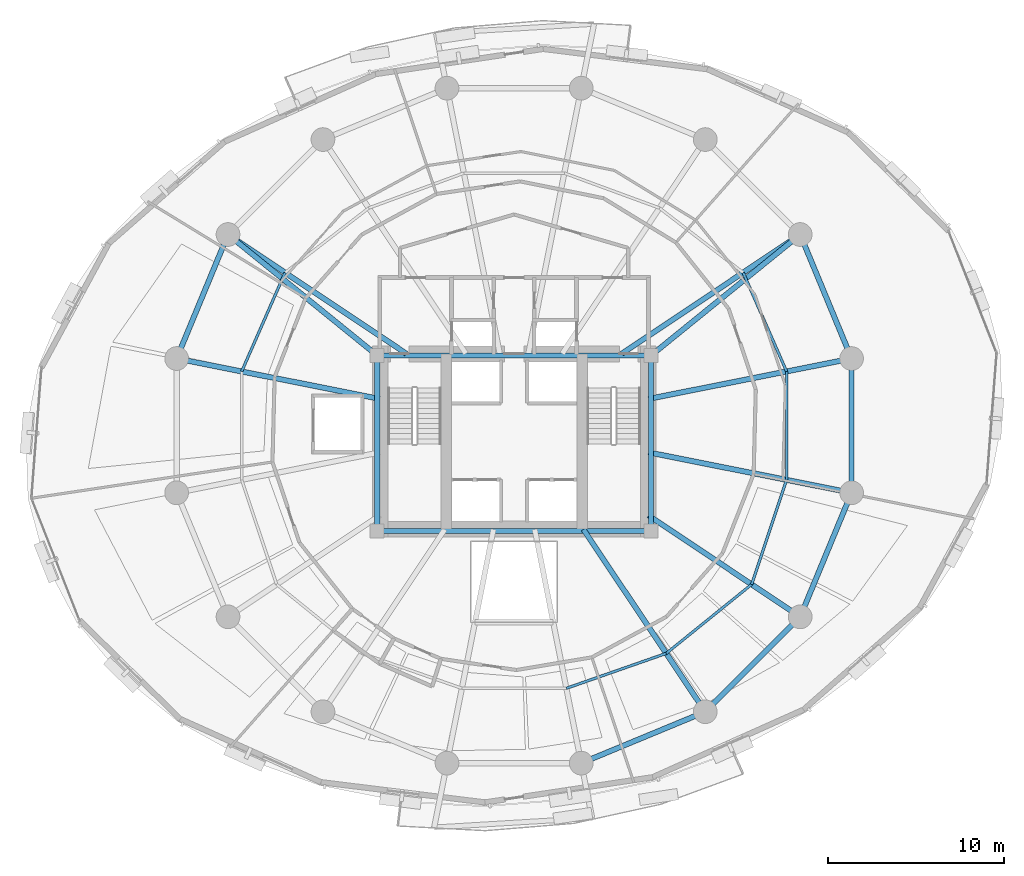
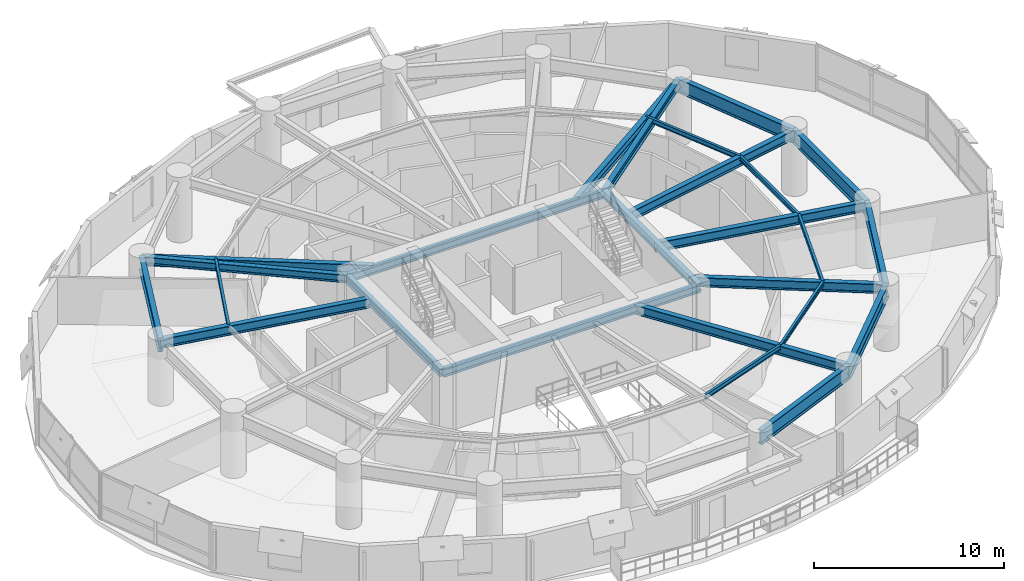
# One storey, part 7 of 17: 25 beams.
"""IFC4 building model written with IfcOpenShell, lengths in metres."""

from ifc_helpers import new_model, si_unit, direction, frame, origin, origin_2d, place, context, subcontext, project, spatial, i_section, extrude, material, material_profile, profile_set, type_object, element, save


model = new_model("IFC4")

# Units and contexts
model_context = context("Model", 3, precision=1e-05, world=origin(), true_north=direction((0.0, 1.0)))
body_context = subcontext(model_context, "Body", "Model", "MODEL_VIEW")
ifc_project = project(units=[si_unit("LENGTHUNIT", "METRE"), si_unit("AREAUNIT", "SQUARE_METRE"), si_unit("VOLUMEUNIT", "CUBIC_METRE"), si_unit("PLANEANGLEUNIT", "RADIAN"), si_unit("MASSUNIT", "GRAM", prefix="KILO"), si_unit("THERMODYNAMICTEMPERATUREUNIT", "KELVIN"), si_unit("POWERUNIT", "WATT")], contexts=[model_context])

# Site, building, storey
site_placement = place(None, origin())
site = spatial("IfcSite", under=ifc_project, at=site_placement, CompositionType="ELEMENT")
building_placement = place(site_placement, origin())
building = spatial("IfcBuilding", under=site, at=building_placement, Name="Ocrelia Relay Tower", CompositionType="ELEMENT")
storey_placement = place(building_placement, frame((0.0, 0.0, 67.800048828125)))
storey = spatial("IfcBuildingStorey", under=building, at=storey_placement, Name="L15", CompositionType="ELEMENT", Elevation=67.800048828125)

# Beams
ifc_material = material(Name="Steel S355", Category="steel")
ifc_material_profile_1 = material_profile(ifc_material, i_section(OverallWidth=0.300048828125, OverallDepth=0.5, WebThickness=0.014404296875, FlangeThickness=0.028076171875, FilletRadius=0.027099609375, at=origin_2d()), Name="HEB 500")
ifc_profile_set_1 = profile_set([ifc_material_profile_1], Name="Steel S355")
beam_type_1 = type_object("IfcBeamType", Name="BM-HEB500", PredefinedType="BEAM", material=ifc_profile_set_1)
for number, where, z_axis, x_axis, name in (
    (1, (26.199951171875, 20.0, 3.669921875), (1.0, 0.0, 0.0), (0.0, 1.0, 0.0), "L15 Core Pilaster Tie Beam S"),
    (2, (26.199951171875, 30.0, 3.669921875), (1.0, 0.0, 0.0), (0.0, 1.0, 0.0), "L15 Core Pilaster Tie Beam N"),
):
    element("IfcBeam", number, at=place(storey_placement, frame(where, z_axis=z_axis, x_axis=x_axis)), inside=storey, type_object=beam_type_1, Name=name, PredefinedType="BEAM", context=body_context, shape_type="SweptSolid", body=[
        extrude(i_section(OverallWidth=0.300048828125, OverallDepth=0.5, WebThickness=0.014404296875, FlangeThickness=0.028076171875, FilletRadius=0.027099609375, at=origin_2d()), origin(), (0.0, 0.0, 1.0), 15.60009765625),
    ])
for number, where, z_axis, x_axis, name in (
    (3, (26.199951171875, 20.0, 3.669921875), (0.0, 1.0, 0.0), (-1.0, 0.0, 0.0), "L15 Core Pilaster Tie Beam W"),
    (4, (41.800048828125, 20.0, 3.669921875), (0.0, 1.0, 0.0), (-1.0, 0.0, 0.0), "L15 Core Pilaster Tie Beam E"),
):
    element("IfcBeam", number, at=place(storey_placement, frame(where, z_axis=z_axis, x_axis=x_axis)), inside=storey, type_object=beam_type_1, Name=name, PredefinedType="BEAM", context=body_context, shape_type="SweptSolid", body=[
        extrude(i_section(OverallWidth=0.300048828125, OverallDepth=0.5, WebThickness=0.014404296875, FlangeThickness=0.028076171875, FilletRadius=0.027099609375, at=origin_2d()), origin(), (0.0, 0.0, 1.0), 10.0),
    ])
for number, where, z_axis, x_axis, name in (
    (5, (50.296875, 36.88916015625, 3.669921875), (-0.776762830896, -0.629793223637, 0.0), (0.629793223637, -0.776762830896, 0.0), "L15 Core Pilaster Frame Tie Beam PT02"),
    (6, (17.703125, 36.88916015625, 3.669921875), (0.776762830896, -0.629793223637, 0.0), (0.629793223637, 0.776762830896, 0.0), "L15 Core Pilaster Frame Tie Beam PT07"),
):
    element("IfcBeam", number, at=place(storey_placement, frame(where, z_axis=z_axis, x_axis=x_axis)), inside=storey, type_object=beam_type_1, Name=name, PredefinedType="BEAM", context=body_context, shape_type="SweptSolid", body=[
        extrude(i_section(OverallWidth=0.300048828125, OverallDepth=0.5, WebThickness=0.014404296875, FlangeThickness=0.028076171875, FilletRadius=0.027099609375, at=origin_2d()), origin(), (0.0, 0.0, 1.0), 10.938720703125),
    ])
ifc_material_profile_2 = material_profile(ifc_material, i_section(OverallWidth=0.300048828125, OverallDepth=0.60009765625, WebThickness=0.015380859375, FlangeThickness=0.030029296875, FilletRadius=0.027099609375, at=origin_2d()), Name="HEB 600")
ifc_profile_set_2 = profile_set([ifc_material_profile_2], Name="Steel S355")
beam_type_2 = type_object("IfcBeamType", Name="BM-HEB600", PredefinedType="BEAM", material=ifc_profile_set_2)
beam_1_placement = place(storey_placement, frame((53.223388671875, 29.82373046875, 3.619873046875), z_axis=(-0.980786324446, -0.195085073187, 0.0), x_axis=(0.195085073187, -0.980786324446, 0.0)))
element("IfcBeam", 7, at=beam_1_placement, inside=storey, type_object=beam_type_2, Name="L15 Radial Floor Girder R01", PredefinedType="BEAM", context=body_context, shape_type="SweptSolid", body=[
    extrude(i_section(OverallWidth=0.300048828125, OverallDepth=0.60009765625, WebThickness=0.015380859375, FlangeThickness=0.030029296875, FilletRadius=0.027099609375, at=origin_2d()), origin(), (0.0, 0.0, 1.0), 11.794921875),
])
for number, where, z_axis, x_axis, name in (
    (8, (50.296875, 36.88916015625, 3.619873046875), (-0.831471581268, -0.555567286243, 0.0), (0.555567286243, -0.831471581268, 0.0), "L15 Radial Floor Girder R02"),
    (9, (17.703125, 36.88916015625, 3.619873046875), (0.831471581268, -0.555567286243, 0.0), (0.555567286243, 0.831471581268, 0.0), "L15 Radial Floor Girder R07"),
):
    element("IfcBeam", number, at=place(storey_placement, frame(where, z_axis=z_axis, x_axis=x_axis)), inside=storey, type_object=beam_type_2, Name=name, PredefinedType="BEAM", context=body_context, shape_type="SweptSolid", body=[
        extrude(i_section(OverallWidth=0.300048828125, OverallDepth=0.60009765625, WebThickness=0.015380859375, FlangeThickness=0.030029296875, FilletRadius=0.027099609375, at=origin_2d()), origin(), (0.0, 0.0, 1.0), 12.211181640625),
    ])
beam_2_placement = place(storey_placement, frame((14.776611328125, 29.82373046875, 3.619873046875), z_axis=(0.980786938484, -0.195081986098, 0.0), x_axis=(0.195081986098, 0.980786938484, 0.0)))
element("IfcBeam", 10, at=beam_2_placement, inside=storey, type_object=beam_type_2, Name="L15 Radial Floor Girder R08", PredefinedType="BEAM", context=body_context, shape_type="SweptSolid", body=[
    extrude(i_section(OverallWidth=0.300048828125, OverallDepth=0.60009765625, WebThickness=0.015380859375, FlangeThickness=0.030029296875, FilletRadius=0.027099609375, at=origin_2d()), origin(), (0.0, 0.0, 1.0), 11.80517578125),
])
beam_3_placement = place(storey_placement, frame((44.88916015625, 9.703125, 3.619873046875), z_axis=(-0.555569912646, 0.831469826369, 0.0), x_axis=(-0.831469826369, -0.555569912646, 0.0)))
element("IfcBeam", 11, at=beam_3_placement, inside=storey, type_object=beam_type_2, Name="L15 Radial Floor Girder R14", PredefinedType="BEAM", context=body_context, shape_type="SweptSolid", body=[
    extrude(i_section(OverallWidth=0.300048828125, OverallDepth=0.60009765625, WebThickness=0.015380859375, FlangeThickness=0.030029296875, FilletRadius=0.027099609375, at=origin_2d()), origin(), (0.0, 0.0, 1.0), 12.498046875),
])
beam_4_placement = place(storey_placement, frame((50.296875, 15.11083984375, 3.619873046875), z_axis=(-0.831475246583, 0.555561800631, 0.0), x_axis=(-0.555561800631, -0.831475246583, 0.0)))
element("IfcBeam", 12, at=beam_4_placement, inside=storey, type_object=beam_type_2, Name="L15 Radial Floor Girder R15", PredefinedType="BEAM", context=body_context, shape_type="SweptSolid", body=[
    extrude(i_section(OverallWidth=0.300048828125, OverallDepth=0.60009765625, WebThickness=0.015380859375, FlangeThickness=0.030029296875, FilletRadius=0.027099609375, at=origin_2d()), origin(), (0.0, 0.0, 1.0), 10.393310546875),
])
beam_5_placement = place(storey_placement, frame((53.223388671875, 22.17626953125, 3.619873046875), z_axis=(-0.980786324446, 0.195085073187, 0.0), x_axis=(-0.195085073187, -0.980786324446, 0.0)))
element("IfcBeam", 13, at=beam_5_placement, inside=storey, type_object=beam_type_2, Name="L15 Radial Floor Girder R16", PredefinedType="BEAM", context=body_context, shape_type="SweptSolid", body=[
    extrude(i_section(OverallWidth=0.300048828125, OverallDepth=0.60009765625, WebThickness=0.015380859375, FlangeThickness=0.030029296875, FilletRadius=0.027099609375, at=origin_2d()), origin(), (0.0, 0.0, 1.0), 11.794921875),
])
ifc_material_profile_3 = material_profile(ifc_material, i_section(OverallWidth=0.300048828125, OverallDepth=0.89990234375, WebThickness=0.0185546875, FlangeThickness=0.034912109375, FilletRadius=0.030029296875, at=origin_2d()), Name="HEB 900")
ifc_profile_set_3 = profile_set([ifc_material_profile_3], Name="Steel S355")
beam_type_3 = type_object("IfcBeamType", Name="BM-HEB900", PredefinedType="BEAM", material=ifc_profile_set_3)
for number, where, z_axis, x_axis, name in (
    (14, (53.223388671875, 29.82373046875, 3.469970703125), (-0.382674154222, 0.923883375589, 0.0), (-0.923883375589, -0.382674154222, 0.0), "L15 Perimeter Spandrel Beam S01"),
    (15, (17.703125, 36.88916015625, 3.469970703125), (-0.382674154222, -0.923883375589, 0.0), (0.923883375589, -0.382674154222, 0.0), "L15 Perimeter Spandrel Beam S07"),
    (16, (37.82373046875, 6.776611328125, 3.469970703125), (0.923883375589, 0.382674154222, 0.0), (-0.382674154222, 0.923883375589, 0.0), "L15 Perimeter Spandrel Beam S13"),
):
    element("IfcBeam", number, at=place(storey_placement, frame(where, z_axis=z_axis, x_axis=x_axis)), inside=storey, type_object=beam_type_3, Name=name, PredefinedType="BEAM", context=body_context, shape_type="SweptSolid", body=[
        extrude(i_section(OverallWidth=0.300048828125, OverallDepth=0.89990234375, WebThickness=0.0185546875, FlangeThickness=0.034912109375, FilletRadius=0.030029296875, at=origin_2d()), origin(), (0.0, 0.0, 1.0), 7.6474609375),
    ])
beam_6_placement = place(storey_placement, frame((44.88916015625, 9.703125, 3.469970703125), z_axis=(0.707106781187, 0.707106781187, 0.0), x_axis=(-0.707106781187, 0.707106781187, 0.0)))
element("IfcBeam", 17, at=beam_6_placement, inside=storey, type_object=beam_type_3, Name="L15 Perimeter Spandrel Beam S14", PredefinedType="BEAM", context=body_context, shape_type="SweptSolid", body=[
    extrude(i_section(OverallWidth=0.300048828125, OverallDepth=0.89990234375, WebThickness=0.0185546875, FlangeThickness=0.034912109375, FilletRadius=0.030029296875, at=origin_2d()), origin(), (0.0, 0.0, 1.0), 7.647705078125),
])
for number, where, z_axis, x_axis, name in (
    (18, (50.296875, 15.11083984375, 3.469970703125), (0.382674154222, 0.923883375589, 0.0), (-0.923883375589, 0.382674154222, 0.0), "L15 Perimeter Spandrel Beam S15"),
    (19, (53.223388671875, 22.17626953125, 3.469970703125), (0.0, 1.0, 0.0), (-1.0, 0.0, 0.0), "L15 Perimeter Spandrel Beam S16"),
):
    element("IfcBeam", number, at=place(storey_placement, frame(where, z_axis=z_axis, x_axis=x_axis)), inside=storey, type_object=beam_type_3, Name=name, PredefinedType="BEAM", context=body_context, shape_type="SweptSolid", body=[
        extrude(i_section(OverallWidth=0.300048828125, OverallDepth=0.89990234375, WebThickness=0.0185546875, FlangeThickness=0.034912109375, FilletRadius=0.030029296875, at=origin_2d()), origin(), (0.0, 0.0, 1.0), 7.6474609375),
    ])
ifc_material_profile_4 = material_profile(ifc_material, i_section(OverallWidth=0.14990234375, OverallDepth=0.300048828125, WebThickness=0.007080078125, FlangeThickness=0.0107421875, FilletRadius=0.014892578125, at=origin_2d()), Name="IPE 300")
ifc_profile_set_4 = profile_set([ifc_material_profile_4], Name="Steel S355")
beam_type_4 = type_object("IfcBeamType", Name="BM-IPE300", PredefinedType="JOIST", material=ifc_profile_set_4)
beam_7_placement = place(storey_placement, frame((49.521484375, 29.08740234375, 3.77001953125), z_axis=(-0.402201104053, 0.915551348586, 0.0), x_axis=(-0.915551348586, -0.402201104053, 0.0)))
element("IfcBeam", 20, at=beam_7_placement, inside=storey, type_object=beam_type_4, Name="L15 Secondary Floor Joist J01", PredefinedType="JOIST", context=body_context, shape_type="SweptSolid", body=[
    extrude(i_section(OverallWidth=0.14990234375, OverallDepth=0.300048828125, WebThickness=0.007080078125, FlangeThickness=0.0107421875, FilletRadius=0.014892578125, at=origin_2d()), origin(), (0.0, 0.0, 1.0), 6.150146484375),
])
beam_8_placement = place(storey_placement, frame((20.9521484375, 34.71826171875, 3.77001953125), z_axis=(-0.401739185135, -0.915754130281, 0.0), x_axis=(0.915754130281, -0.401739185135, 0.0)))
element("IfcBeam", 21, at=beam_8_placement, inside=storey, type_object=beam_type_4, Name="L15 Secondary Floor Joist J07", PredefinedType="JOIST", context=body_context, shape_type="SweptSolid", body=[
    extrude(i_section(OverallWidth=0.14990234375, OverallDepth=0.300048828125, WebThickness=0.007080078125, FlangeThickness=0.0107421875, FilletRadius=0.014892578125, at=origin_2d()), origin(), (0.0, 0.0, 1.0), 6.1494140625),
])
beam_9_placement = place(storey_placement, frame((36.97607421875, 11.03857421875, 3.77001953125), z_axis=(0.943957429675, 0.330067221882, 0.0), x_axis=(-0.330067221882, 0.943957429675, 0.0)))
element("IfcBeam", 22, at=beam_9_placement, inside=storey, type_object=beam_type_4, Name="L15 Secondary Floor Joist J13", PredefinedType="JOIST", context=body_context, shape_type="SweptSolid", body=[
    extrude(i_section(OverallWidth=0.14990234375, OverallDepth=0.300048828125, WebThickness=0.007080078125, FlangeThickness=0.0107421875, FilletRadius=0.014892578125, at=origin_2d()), origin(), (0.0, 0.0, 1.0), 6.029052734375),
])
beam_10_placement = place(storey_placement, frame((42.667236328125, 13.028564453125, 3.77001953125), z_axis=(0.777854562422, 0.628444333031, 0.0), x_axis=(-0.628444333031, 0.777854562422, 0.0)))
element("IfcBeam", 23, at=beam_10_placement, inside=storey, type_object=beam_type_4, Name="L15 Secondary Floor Joist J14", PredefinedType="JOIST", context=body_context, shape_type="SweptSolid", body=[
    extrude(i_section(OverallWidth=0.14990234375, OverallDepth=0.300048828125, WebThickness=0.007080078125, FlangeThickness=0.0107421875, FilletRadius=0.014892578125, at=origin_2d()), origin(), (0.0, 0.0, 1.0), 6.25341796875),
])
beam_11_placement = place(storey_placement, frame((47.531494140625, 16.95849609375, 3.77001953125), z_axis=(0.31698600471, 0.948430215049, 0.0), x_axis=(-0.948430215049, 0.31698600471, 0.0)))
element("IfcBeam", 24, at=beam_11_placement, inside=storey, type_object=beam_type_4, Name="L15 Secondary Floor Joist J15", PredefinedType="JOIST", context=body_context, shape_type="SweptSolid", body=[
    extrude(i_section(OverallWidth=0.14990234375, OverallDepth=0.300048828125, WebThickness=0.007080078125, FlangeThickness=0.0107421875, FilletRadius=0.014892578125, at=origin_2d()), origin(), (0.0, 0.0, 1.0), 6.27783203125),
])
beam_12_placement = place(storey_placement, frame((49.521484375, 22.91259765625, 3.77001953125), z_axis=(0.0, 1.0, 0.0), x_axis=(-1.0, 0.0, 0.0)))
element("IfcBeam", 25, at=beam_12_placement, inside=storey, type_object=beam_type_4, Name="L15 Secondary Floor Joist J16", PredefinedType="JOIST", context=body_context, shape_type="SweptSolid", body=[
    extrude(i_section(OverallWidth=0.14990234375, OverallDepth=0.300048828125, WebThickness=0.007080078125, FlangeThickness=0.0107421875, FilletRadius=0.014892578125, at=origin_2d()), origin(), (0.0, 0.0, 1.0), 6.1748046875),
])

save(model, "model.ifc")
